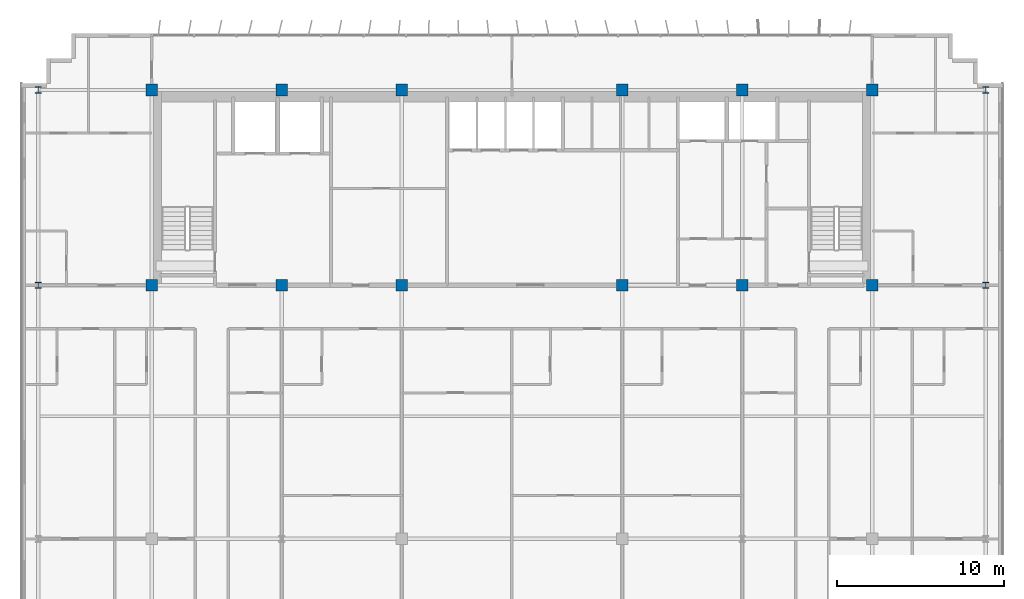
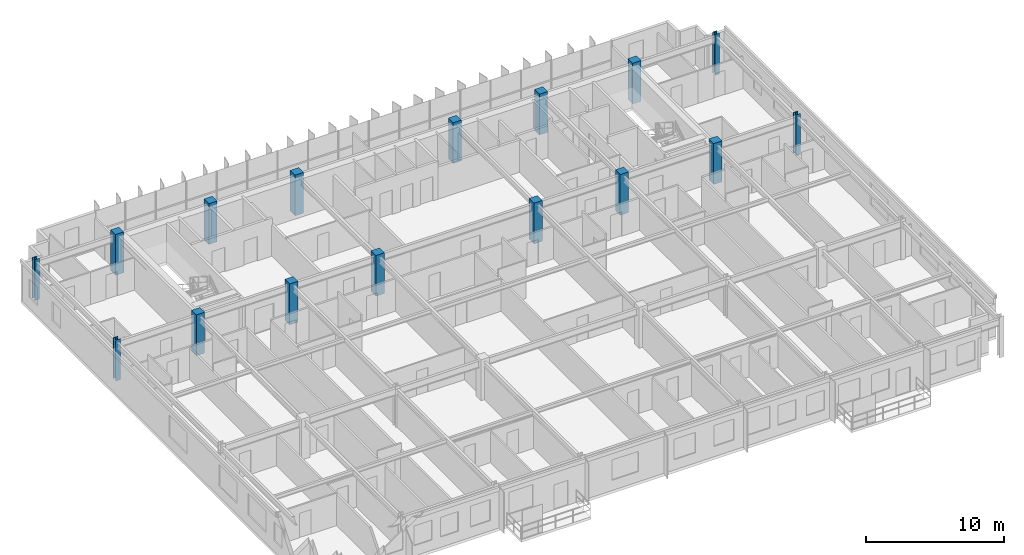
# One storey, part 2 of 22: 16 columns.
"""IFC4 building model written with IfcOpenShell, lengths in metres."""

from ifc_helpers import new_model, si_unit, direction, frame, origin, origin_2d, place, context, subcontext, project, spatial, rectangle, i_section, extrude, source, transform, mapped, material, material_profile, profile_set, type_object, element, save


model = new_model("IFC4")

# Units and contexts
model_context = context("Model", 3, precision=1e-05, world=origin(), true_north=direction((0.0, 1.0)))
body_context = subcontext(model_context, "Body", "Model", "MODEL_VIEW")
ifc_project = project(units=[si_unit("LENGTHUNIT", "METRE"), si_unit("AREAUNIT", "SQUARE_METRE"), si_unit("VOLUMEUNIT", "CUBIC_METRE"), si_unit("PLANEANGLEUNIT", "RADIAN"), si_unit("MASSUNIT", "GRAM", prefix="KILO")], contexts=[model_context])

# Site, building, storey
site_placement = place(None, origin())
site = spatial("IfcSite", under=ifc_project, at=site_placement, CompositionType="ELEMENT")
building_placement = place(site_placement, origin())
building = spatial("IfcBuilding", under=site, at=building_placement, Name="Trelvane Seafront Commons", CompositionType="ELEMENT")
storey_placement = place(building_placement, frame((0.0, 0.0, 139.300048828125)))
storey = spatial("IfcBuildingStorey", under=building, at=storey_placement, Name="L36", CompositionType="ELEMENT", Elevation=139.300048828125)

# Columns
ifc_material_1 = material(Name="Steel SM355 (S355)", Category="steel")
ifc_material_profile_1 = material_profile(ifc_material_1, i_section(OverallWidth=0.3798828125, OverallDepth=0.3798828125, WebThickness=0.02001953125, FlangeThickness=0.030029296875, at=origin_2d()), Name="HD-380x380x20x30")
ifc_profile_set_1 = profile_set([ifc_material_profile_1], Name="Steel SM355 (S355)")
column_type_1 = type_object("IfcColumnType", Name="STR-COL-HD380", PredefinedType="COLUMN", material=ifc_profile_set_1)
shared_shape_1 = source(origin(), body_context, "Body", "SweptSolid", [
    extrude(i_section(OverallWidth=0.3798828125, OverallDepth=0.3798828125, WebThickness=0.02001953125, FlangeThickness=0.030029296875, at=origin_2d()), origin(), (0.0, 0.0, 1.0), 3.599853515625),
])
for number, where, z_axis, x_axis, name in (
    (1, (8.800048828125, 33.39990234375, 0.0), (0.0, 0.0, 1.0), (1.0, 0.0, 0.0), "L36 Column TC-CS8.8"),
    (2, (8.800048828125, 45.10009765625, 0.0), (0.0, 0.0, 1.0), (1.0, 0.0, 0.0), "L36 Column TC-CN8.8"),
    (3, (65.60009765625, 33.39990234375, 0.0), (0.0, 0.0, 1.0), (1.0, 0.0, 0.0), "L36 Column TC-CS65.6"),
    (4, (65.60009765625, 45.10009765625, 0.0), (0.0, 0.0, 1.0), (1.0, 0.0, 0.0), "L36 Column TC-CN65.6"),
):
    element("IfcColumn", number, at=place(storey_placement, frame(where, z_axis=z_axis, x_axis=x_axis)), inside=storey, type_object=column_type_1, Name=name, PredefinedType="COLUMN", context=body_context, shape_type="MappedRepresentation", body=[
        mapped(shared_shape_1, transform((0.0, 0.0, 0.0), x_axis=(1.0, 0.0, 0.0), y_axis=(0.0, 1.0, 0.0), z_axis=(0.0, 0.0, 1.0), scale=1.0)),
    ])
ifc_material_2 = material(Name="Concrete C50/60", Category="concrete")
ifc_material_profile_2 = material_profile(ifc_material_2, rectangle(XDim=0.699951171875, YDim=0.699951171875, at=origin_2d()), Name="RC-700x700")
ifc_profile_set_2 = profile_set([ifc_material_profile_2], Name="Concrete C50/60")
column_type_2 = type_object("IfcColumnType", Name="STR-COL-RC700", PredefinedType="COLUMN", material=ifc_profile_set_2)
shared_shape_2 = source(origin(), body_context, "Body", "SweptSolid", [
    extrude(rectangle(XDim=0.699951171875, YDim=0.699951171875, at=origin_2d()), origin(), (0.0, 0.0, 1.0), 3.599853515625),
])
for number, where, z_axis, x_axis, name in (
    (5, (15.60009765625, 33.39990234375, 0.0), (0.0, 0.0, 1.0), (1.0, 0.0, 0.0), "L36 Column TC-CS15.6"),
    (6, (15.60009765625, 45.10009765625, 0.0), (0.0, 0.0, 1.0), (1.0, 0.0, 0.0), "L36 Column TC-CN15.6"),
    (7, (23.39990234375, 33.39990234375, 0.0), (0.0, 0.0, 1.0), (1.0, 0.0, 0.0), "L36 Column TC-CS23.4"),
    (8, (23.39990234375, 45.10009765625, 0.0), (0.0, 0.0, 1.0), (1.0, 0.0, 0.0), "L36 Column TC-CN23.4"),
    (9, (30.60009765625, 33.39990234375, 0.0), (0.0, 0.0, 1.0), (1.0, 0.0, 0.0), "L36 Column TC-CS30.6"),
    (10, (30.60009765625, 45.10009765625, 0.0), (0.0, 0.0, 1.0), (1.0, 0.0, 0.0), "L36 Column TC-CN30.6"),
    (11, (43.800048828125, 33.39990234375, 0.0), (0.0, 0.0, 1.0), (1.0, 0.0, 0.0), "L36 Column TC-CS43.8"),
    (12, (43.800048828125, 45.10009765625, 0.0), (0.0, 0.0, 1.0), (1.0, 0.0, 0.0), "L36 Column TC-CN43.8"),
    (13, (51.0, 33.39990234375, 0.0), (0.0, 0.0, 1.0), (1.0, 0.0, 0.0), "L36 Column TC-CS51.0"),
    (14, (51.0, 45.10009765625, 0.0), (0.0, 0.0, 1.0), (1.0, 0.0, 0.0), "L36 Column TC-CN51.0"),
    (15, (58.800048828125, 33.39990234375, 0.0), (0.0, 0.0, 1.0), (1.0, 0.0, 0.0), "L36 Column TC-CS58.8"),
    (16, (58.800048828125, 45.10009765625, 0.0), (0.0, 0.0, 1.0), (1.0, 0.0, 0.0), "L36 Column TC-CN58.8"),
):
    element("IfcColumn", number, at=place(storey_placement, frame(where, z_axis=z_axis, x_axis=x_axis)), inside=storey, type_object=column_type_2, Name=name, PredefinedType="COLUMN", context=body_context, shape_type="MappedRepresentation", body=[
        mapped(shared_shape_2, transform((0.0, 0.0, 0.0), x_axis=(1.0, 0.0, 0.0), y_axis=(0.0, 1.0, 0.0), z_axis=(0.0, 0.0, 1.0), scale=1.0)),
    ])

save(model, "model.ifc")
